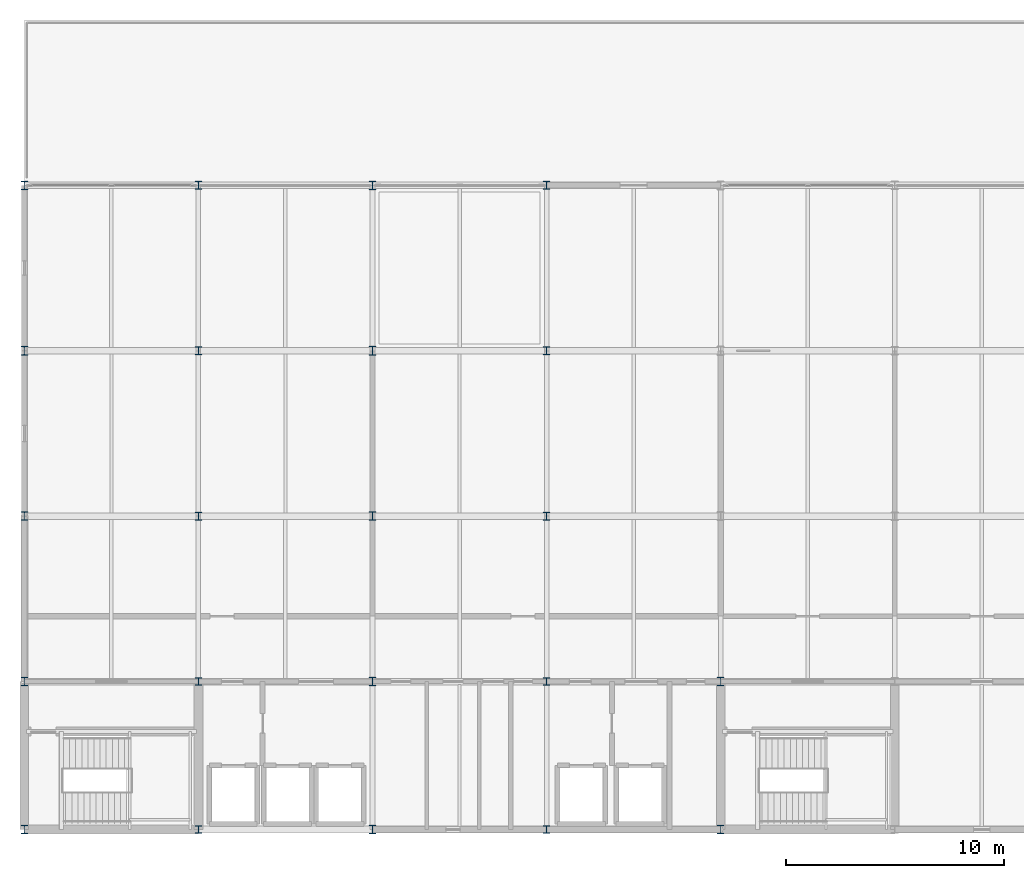
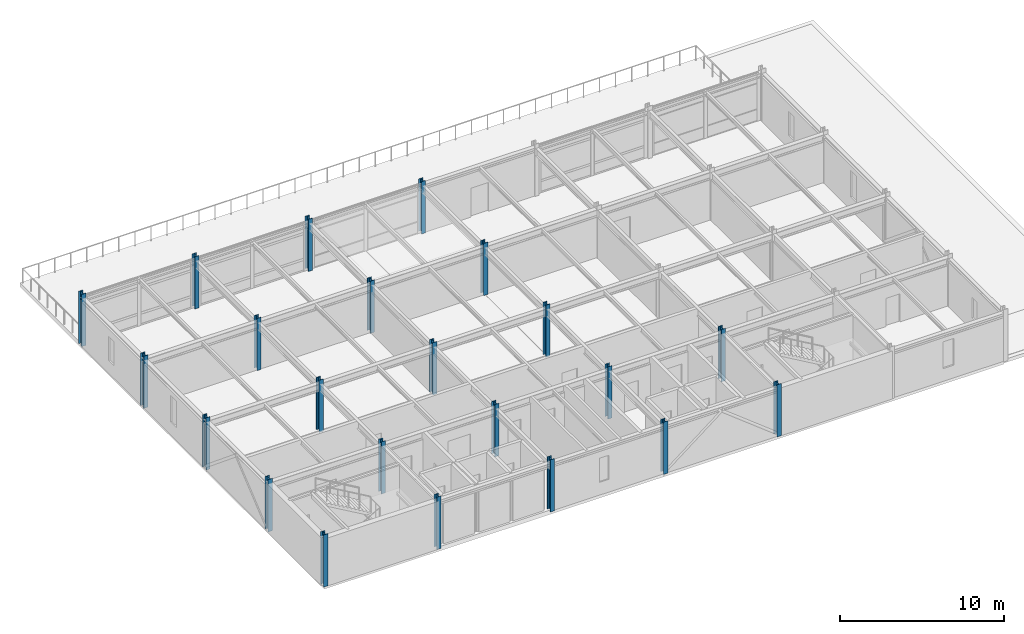
# One storey, part 1 of 12: 22 columns.
"""IFC4 building model written with IfcOpenShell, lengths in metres."""

from ifc_helpers import new_model, si_unit, direction, frame, origin, origin_2d, place, context, subcontext, project, spatial, i_section, extrude, material, material_profile, profile_set, type_object, element, save


model = new_model("IFC4")

# Units and contexts
model_context = context("Model", 3, precision=1e-05, world=origin(), true_north=direction((0.0, 1.0)))
body_context = subcontext(model_context, "Body", "Model", "MODEL_VIEW")
ifc_project = project(units=[si_unit("LENGTHUNIT", "METRE"), si_unit("AREAUNIT", "SQUARE_METRE"), si_unit("VOLUMEUNIT", "CUBIC_METRE"), si_unit("PLANEANGLEUNIT", "RADIAN"), si_unit("MASSUNIT", "GRAM", prefix="KILO")], contexts=[model_context])

# Site, building, storey
site_placement = place(None, origin())
site = spatial("IfcSite", under=ifc_project, at=site_placement, CompositionType="ELEMENT")
building_placement = place(site_placement, origin())
building = spatial("IfcBuilding", under=site, at=building_placement, Name="Shalkamar Park Central Library", CompositionType="ELEMENT")
storey_placement = place(building_placement, frame((0.0, 0.0, 56.10009765625)))
storey = spatial("IfcBuildingStorey", under=building, at=storey_placement, Name="L14", CompositionType="ELEMENT", Elevation=56.10009765625)

# Columns
ifc_material = material(Name="Steel S355", Category="steel")
ifc_material_profile_1 = material_profile(ifc_material, i_section(OverallWidth=0.300048828125, OverallDepth=0.360107421875, WebThickness=0.012451171875, FlangeThickness=0.0224609375, FilletRadius=0.027099609375, at=origin_2d()), Name="HEB 360")
ifc_profile_set_1 = profile_set([ifc_material_profile_1], Name="Steel S355")
column_type_1 = type_object("IfcColumnType", Name="Column Steel HEB360", PredefinedType="COLUMN", material=ifc_profile_set_1)
for number, where, z_axis, x_axis, name in (
    (1, (173.0, 248.39990234375, 0.0), (0.0, 0.0, 1.0), (1.0, 0.0, 0.0), "Column 08/B (L14)"),
    (2, (173.0, 255.199951171875, 0.0), (0.0, 0.0, 1.0), (1.0, 0.0, 0.0), "Column 08/C (L14)"),
    (3, (173.0, 262.800048828125, 0.0), (0.0, 0.0, 1.0), (1.0, 0.0, 0.0), "Column 08/D (L14)"),
    (4, (173.0, 270.39990234375, 0.0), (0.0, 0.0, 1.0), (1.0, 0.0, 0.0), "Column 08/E (L14)"),
    (5, (173.0, 278.0, 0.0), (0.0, 0.0, 1.0), (1.0, 0.0, 0.0), "Column 08/F (L14)"),
    (6, (189.0, 248.39990234375, 0.0), (0.0, 0.0, 1.0), (1.0, 0.0, 0.0), "Column 10/B (L14)"),
    (7, (189.0, 255.199951171875, 0.0), (0.0, 0.0, 1.0), (1.0, 0.0, 0.0), "Column 10/C (L14)"),
    (8, (189.0, 262.800048828125, 0.0), (0.0, 0.0, 1.0), (1.0, 0.0, 0.0), "Column 10/D (L14)"),
    (9, (189.0, 270.39990234375, 0.0), (0.0, 0.0, 1.0), (1.0, 0.0, 0.0), "Column 10/E (L14)"),
    (10, (189.0, 278.0, 0.0), (0.0, 0.0, 1.0), (1.0, 0.0, 0.0), "Column 10/F (L14)"),
):
    element("IfcColumn", number, at=place(storey_placement, frame(where, z_axis=z_axis, x_axis=x_axis)), inside=storey, type_object=column_type_1, Name=name, PredefinedType="COLUMN", context=body_context, shape_type="SweptSolid", body=[
        extrude(i_section(OverallWidth=0.300048828125, OverallDepth=0.360107421875, WebThickness=0.012451171875, FlangeThickness=0.0224609375, FilletRadius=0.027099609375, at=origin_2d()), origin(), (0.0, 0.0, 1.0), 3.89990234375),
    ])
ifc_material_profile_2 = material_profile(ifc_material, i_section(OverallWidth=0.300048828125, OverallDepth=0.39990234375, WebThickness=0.013427734375, FlangeThickness=0.02392578125, FilletRadius=0.027099609375, at=origin_2d()), Name="HEB 400")
ifc_profile_set_2 = profile_set([ifc_material_profile_2], Name="Steel S355")
column_type_2 = type_object("IfcColumnType", Name="Column Steel HEB400", PredefinedType="COLUMN", material=ifc_profile_set_2)
for number, where, z_axis, x_axis, name in (
    (11, (165.0, 248.39990234375, 0.0), (0.0, 0.0, 1.0), (1.0, 0.0, 0.0), "Column 07/B (L14)"),
    (12, (165.0, 255.199951171875, 0.0), (0.0, 0.0, 1.0), (1.0, 0.0, 0.0), "Column 07/C (L14)"),
    (13, (165.0, 262.800048828125, 0.0), (0.0, 0.0, 1.0), (1.0, 0.0, 0.0), "Column 07/D (L14)"),
    (14, (165.0, 270.39990234375, 0.0), (0.0, 0.0, 1.0), (1.0, 0.0, 0.0), "Column 07/E (L14)"),
    (15, (165.0, 278.0, 0.0), (0.0, 0.0, 1.0), (1.0, 0.0, 0.0), "Column 07/F (L14)"),
    (16, (181.0, 248.39990234375, 0.0), (0.0, 0.0, 1.0), (1.0, 0.0, 0.0), "Column 09/B (L14)"),
    (17, (181.0, 255.199951171875, 0.0), (0.0, 0.0, 1.0), (1.0, 0.0, 0.0), "Column 09/C (L14)"),
    (18, (181.0, 262.800048828125, 0.0), (0.0, 0.0, 1.0), (1.0, 0.0, 0.0), "Column 09/D (L14)"),
    (19, (181.0, 270.39990234375, 0.0), (0.0, 0.0, 1.0), (1.0, 0.0, 0.0), "Column 09/E (L14)"),
    (20, (181.0, 278.0, 0.0), (0.0, 0.0, 1.0), (1.0, 0.0, 0.0), "Column 09/F (L14)"),
    (21, (197.0, 248.39990234375, 0.0), (0.0, 0.0, 1.0), (1.0, 0.0, 0.0), "Column 11/B (L14)"),
    (22, (197.0, 255.199951171875, 0.0), (0.0, 0.0, 1.0), (1.0, 0.0, 0.0), "Column 11/C (L14)"),
):
    element("IfcColumn", number, at=place(storey_placement, frame(where, z_axis=z_axis, x_axis=x_axis)), inside=storey, type_object=column_type_2, Name=name, PredefinedType="COLUMN", context=body_context, shape_type="SweptSolid", body=[
        extrude(i_section(OverallWidth=0.300048828125, OverallDepth=0.39990234375, WebThickness=0.013427734375, FlangeThickness=0.02392578125, FilletRadius=0.027099609375, at=origin_2d()), origin(), (0.0, 0.0, 1.0), 3.89990234375),
    ])

save(model, "model.ifc")
